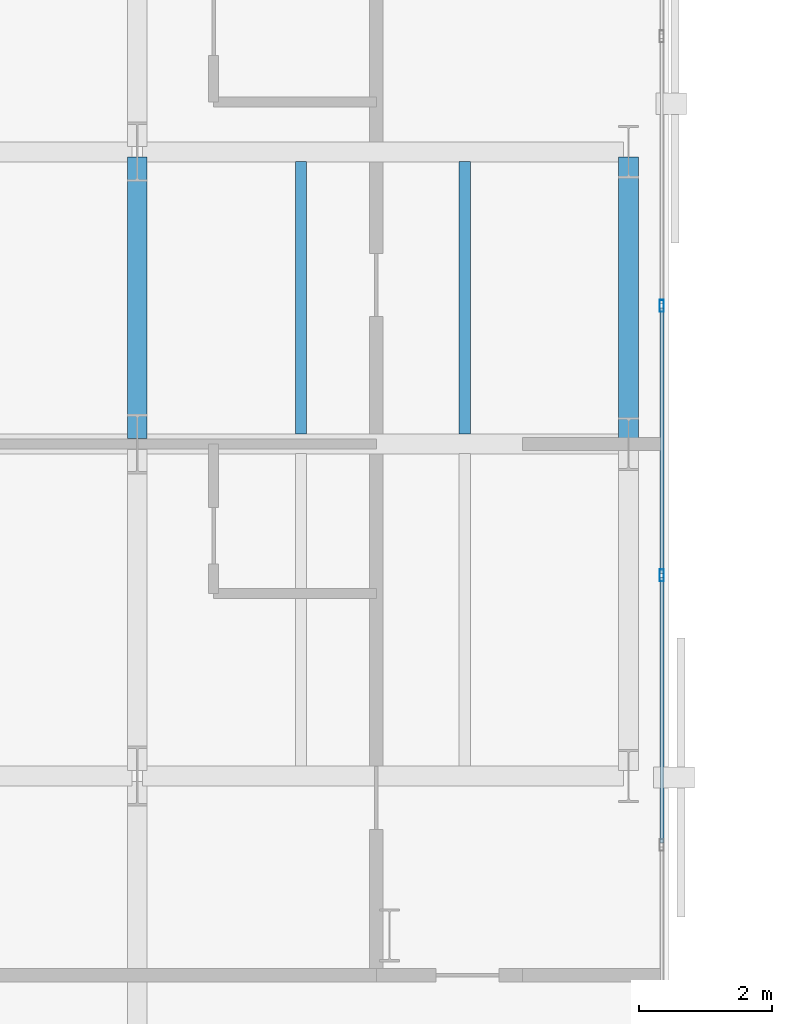
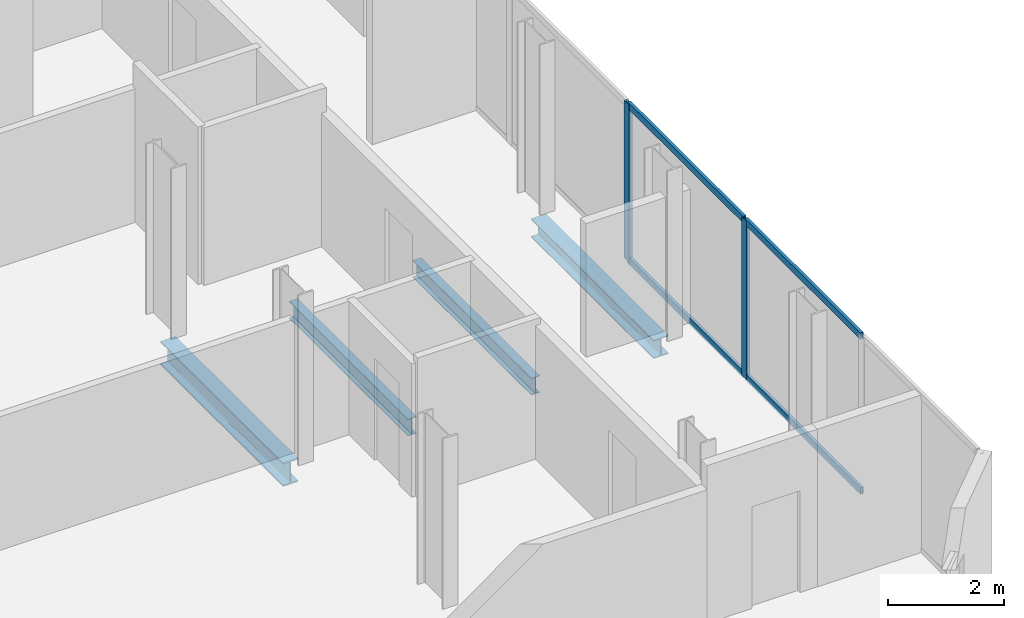
# One storey, part 8 of 33: 6 members, 4 beams, 1 element without a shape of its own.
"""IFC4 building model written with IfcOpenShell, lengths in metres."""

from ifc_helpers import new_model, si_unit, direction, frame, origin, origin_2d, place, context, subcontext, project, spatial, hollow_rectangle, i_section, extrude, material, layer, layer_set, material_profile, profile_set, type_object, element, aggregate, save


model = new_model("IFC4")

# Units and contexts
model_context = context("Model", 3, precision=1e-05, world=origin(), true_north=direction((0.0, 1.0)))
body_context = subcontext(model_context, "Body", "Model", "MODEL_VIEW")
ifc_project = project(units=[si_unit("LENGTHUNIT", "METRE"), si_unit("AREAUNIT", "SQUARE_METRE"), si_unit("VOLUMEUNIT", "CUBIC_METRE"), si_unit("PLANEANGLEUNIT", "RADIAN"), si_unit("MASSUNIT", "GRAM", prefix="KILO")], contexts=[model_context])

# Site, building, storey
site_placement = place(None, origin())
site = spatial("IfcSite", under=ifc_project, at=site_placement, CompositionType="ELEMENT")
building_placement = place(site_placement, origin())
building = spatial("IfcBuilding", under=site, at=building_placement, Name="Catumbela Crestline Tower", CompositionType="ELEMENT")
storey_placement = place(building_placement, frame((0.0, 0.0, 54.6)))
storey = spatial("IfcBuildingStorey", under=building, at=storey_placement, Name="L13", CompositionType="ELEMENT", Elevation=54.6)

# Beams
ifc_material_1 = material(Name="Structural steel S355J2", Category="steel")
ifc_material_profile_1 = material_profile(ifc_material_1, i_section(OverallWidth=0.3, OverallDepth=0.5, WebThickness=0.0145, FlangeThickness=0.028, FilletRadius=0.027, at=origin_2d()), Name="HEB 500")
ifc_profile_set_1 = profile_set([ifc_material_profile_1], Name="Structural steel S355J2")
beam_type_1 = type_object("IfcBeamType", Name="BG-HEB500", PredefinedType="BEAM", material=ifc_profile_set_1)
beam_1_placement = place(storey_placement, frame((16.0, 13.68, -0.51), z_axis=(0.0, 1.0, 0.0), x_axis=(-1.0, 0.0, 0.0)))
element("IfcBeam", 1, at=beam_1_placement, inside=storey, type_object=beam_type_1, Name="L13 Beam BM-L13-WNS66", PredefinedType="BEAM", context=body_context, shape_type="SweptSolid", body=[
    extrude(i_section(OverallWidth=0.3, OverallDepth=0.5, WebThickness=0.0145, FlangeThickness=0.028, FilletRadius=0.027, at=origin_2d()), origin(), (0.0, 0.0, 1.0), 4.24),
])
ifc_material_profile_2 = material_profile(ifc_material_1, i_section(OverallWidth=0.17, OverallDepth=0.36, WebThickness=0.008, FlangeThickness=0.0127, FilletRadius=0.018, at=origin_2d()), Name="IPE 360")
ifc_profile_set_2 = profile_set([ifc_material_profile_2], Name="Structural steel S355J2")
beam_type_2 = type_object("IfcBeamType", Name="BJ-IPE360", PredefinedType="JOIST", material=ifc_profile_set_2)
for number, where, z_axis, x_axis, name in (
    (2, (18.467, 13.747, -0.44), (0.0, 1.0, 0.0), (-1.0, 0.0, 0.0), "L13 Joist JS-L13-WG80"),
    (3, (20.933, 13.747, -0.44), (0.0, 1.0, 0.0), (-1.0, 0.0, 0.0), "L13 Joist JS-L13-WG81"),
):
    element("IfcBeam", number, at=place(storey_placement, frame(where, z_axis=z_axis, x_axis=x_axis)), inside=storey, type_object=beam_type_2, Name=name, PredefinedType="JOIST", context=body_context, shape_type="SweptSolid", body=[
        extrude(i_section(OverallWidth=0.17, OverallDepth=0.36, WebThickness=0.008, FlangeThickness=0.0127, FilletRadius=0.018, at=origin_2d()), origin(), (0.0, 0.0, 1.0), 4.106),
    ])

# Curtain wall, members
ifc_material_2 = material(Name="Aluminium alloy AW-6060-T66", Category="aluminium")
ifc_layer = layer(ifc_material_2, 0.18, Name="Aluminium alloy AW-6060-T66")
ifc_layer_set = layer_set([ifc_layer], Name="Aluminium alloy AW-6060-T66")
curtain_wall_type = type_object("IfcCurtainWallType", Name="CWU-Z1", PredefinedType="USERDEFINED", material=ifc_layer_set)
curtain_wall_placement = place(storey_placement, origin())
curtain_wall = element("IfcCurtainWall", 4, at=curtain_wall_placement, inside=storey, type_object=curtain_wall_type, Name="L13 Unitised Curtain Wall CW-L13-E2S1", ObjectType="UNITISED", PredefinedType="USERDEFINED")
ifc_material_profile_3 = material_profile(ifc_material_2, hollow_rectangle(XDim=0.065, YDim=0.18, WallThickness=0.004, at=origin_2d()), Name="ALU 180x65x4")
ifc_profile_set_3 = profile_set([ifc_material_profile_3], Name="Aluminium alloy AW-6060-T66")
member_type_1 = type_object("IfcMemberType", Name="MUL-180X65", PredefinedType="MULLION", material=ifc_profile_set_3)
member_1_placement = place(storey_placement, frame((23.9, 11.62, 0.0), z_axis=(0.0, 0.0, 1.0), x_axis=(-1.0, 0.0, 0.0)))
member_1 = element("IfcMember", 5, at=member_1_placement, type_object=member_type_1, Name="CWU-Z1 mullion 3", PredefinedType="MULLION", context=body_context, shape_type="SweptSolid", body=[
    extrude(hollow_rectangle(XDim=0.065, YDim=0.18, WallThickness=0.004, at=origin_2d()), origin(), (0.0, 0.0, 1.0), 3.33),
])
member_2_placement = place(storey_placement, frame((23.9, 15.68, 0.0), z_axis=(0.0, 0.0, 1.0), x_axis=(-1.0, 0.0, 0.0)))
member_2 = element("IfcMember", 6, at=member_2_placement, type_object=member_type_1, Name="CWU-Z1 mullion 4", PredefinedType="MULLION", context=body_context, shape_type="SweptSolid", body=[
    extrude(hollow_rectangle(XDim=0.065, YDim=0.18, WallThickness=0.004, at=origin_2d()), origin(), (0.0, 0.0, 1.0), 3.33),
])

# Beam
ifc_material_profile_4 = material_profile(ifc_material_1, i_section(OverallWidth=0.3, OverallDepth=0.39, WebThickness=0.011, FlangeThickness=0.019, FilletRadius=0.027, at=origin_2d()), Name="HEA 400")
ifc_profile_set_4 = profile_set([ifc_material_profile_4], Name="Structural steel S355J2")
beam_type_3 = type_object("IfcBeamType", Name="BS-HEA400", PredefinedType="SPANDREL", material=ifc_profile_set_4)
beam_2_placement = place(storey_placement, frame((23.4, 13.68, -0.455), z_axis=(0.0, 1.0, 0.0), x_axis=(-1.0, 0.0, 0.0)))
element("IfcBeam", 7, at=beam_2_placement, inside=storey, type_object=beam_type_3, Name="L13 Spandrel SP-L13-WNS69", PredefinedType="SPANDREL", context=body_context, shape_type="SweptSolid", body=[
    extrude(i_section(OverallWidth=0.3, OverallDepth=0.39, WebThickness=0.011, FlangeThickness=0.019, FilletRadius=0.027, at=origin_2d()), origin(), (0.0, 0.0, 1.0), 4.24),
])

# Member
ifc_material_profile_5 = material_profile(ifc_material_2, hollow_rectangle(XDim=0.06, YDim=0.14, WallThickness=0.004, at=origin_2d()), Name="ALU 140x60x4")
ifc_profile_set_5 = profile_set([ifc_material_profile_5], Name="Aluminium alloy AW-6060-T66")
member_type_2 = type_object("IfcMemberType", Name="TRN-140X60", PredefinedType="USERDEFINED", material=ifc_profile_set_5)
member_3_placement = place(storey_placement, frame((23.9, 7.5925, 0.03), z_axis=(0.0, 1.0, 0.0), x_axis=(-1.0, 0.0, 0.0)))
member_3 = element("IfcMember", 8, at=member_3_placement, type_object=member_type_2, Name="CWU-Z1 transom 2.1", ObjectType="TRANSOM", PredefinedType="USERDEFINED", context=body_context, shape_type="SweptSolid", body=[
    extrude(hollow_rectangle(XDim=0.06, YDim=0.14, WallThickness=0.004, at=origin_2d()), origin(), (0.0, 0.0, 1.0), 3.995),
])

member_4_placement = place(storey_placement, frame((23.9, 7.5925, 3.3), z_axis=(0.0, 1.0, 0.0), x_axis=(-1.0, 0.0, 0.0)))
member_4 = element("IfcMember", 9, at=member_4_placement, type_object=member_type_2, Name="CWU-Z1 transom 2.2", ObjectType="TRANSOM", PredefinedType="USERDEFINED", context=body_context, shape_type="SweptSolid", body=[
    extrude(hollow_rectangle(XDim=0.06, YDim=0.14, WallThickness=0.004, at=origin_2d()), origin(), (0.0, 0.0, 1.0), 3.995),
])

member_5_placement = place(storey_placement, frame((23.9, 11.6525, 0.03), z_axis=(0.0, 1.0, 0.0), x_axis=(-1.0, 0.0, 0.0)))
member_5 = element("IfcMember", 10, at=member_5_placement, type_object=member_type_2, Name="CWU-Z1 transom 3.1", ObjectType="TRANSOM", PredefinedType="USERDEFINED", context=body_context, shape_type="SweptSolid", body=[
    extrude(hollow_rectangle(XDim=0.06, YDim=0.14, WallThickness=0.004, at=origin_2d()), origin(), (0.0, 0.0, 1.0), 3.995),
])

member_6_placement = place(storey_placement, frame((23.9, 11.6525, 3.3), z_axis=(0.0, 1.0, 0.0), x_axis=(-1.0, 0.0, 0.0)))
member_6 = element("IfcMember", 11, at=member_6_placement, type_object=member_type_2, Name="CWU-Z1 transom 3.2", ObjectType="TRANSOM", PredefinedType="USERDEFINED", context=body_context, shape_type="SweptSolid", body=[
    extrude(hollow_rectangle(XDim=0.06, YDim=0.14, WallThickness=0.004, at=origin_2d()), origin(), (0.0, 0.0, 1.0), 3.995),
])

aggregate(curtain_wall, [member_1, member_2, member_3, member_4, member_5, member_6])

save(model, "model.ifc")
